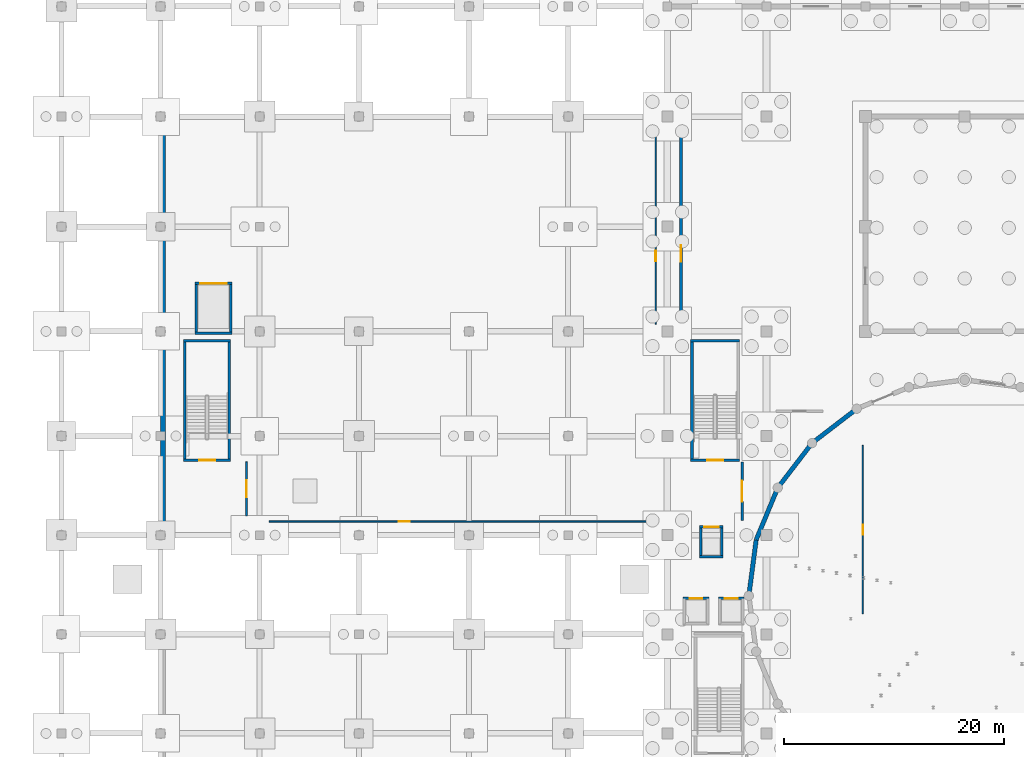
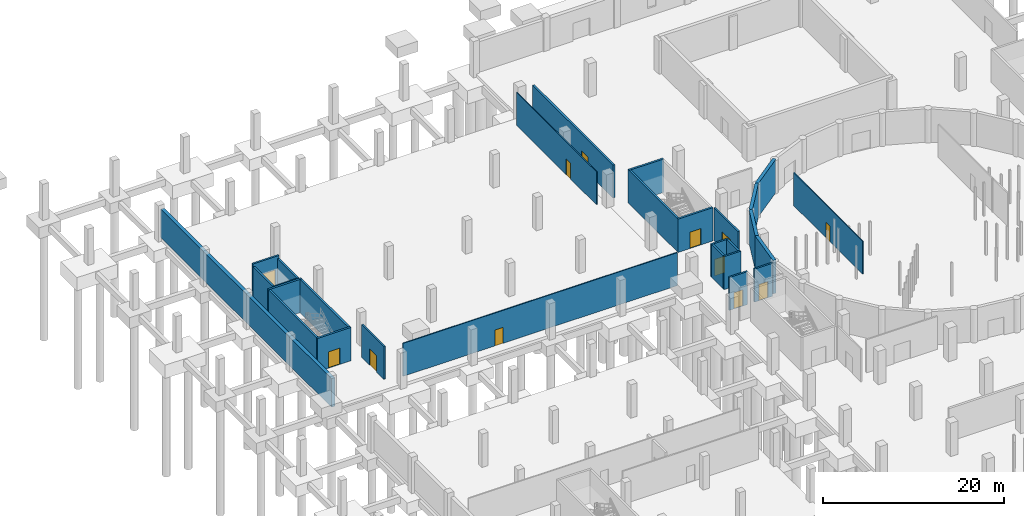
# One storey, part 29 of 40: 28 walls, 12 doors, 12 openings.
"""IFC4 building model written with IfcOpenShell, lengths in metres."""

from ifc_helpers import new_model, si_unit, direction, frame, frame_2d, origin, place, context, subcontext, project, spatial, rectangle, extrude, material, layer, layer_set, type_object, element, fill, save


model = new_model("IFC4")

# Units and contexts
model_context = context("Model", 3, precision=1e-05, world=origin(), true_north=direction((0.0, 1.0)))
body_context = subcontext(model_context, "Body", "Model", "MODEL_VIEW")
ifc_project = project(units=[si_unit("LENGTHUNIT", "METRE"), si_unit("AREAUNIT", "SQUARE_METRE"), si_unit("VOLUMEUNIT", "CUBIC_METRE"), si_unit("PLANEANGLEUNIT", "RADIAN"), si_unit("MASSUNIT", "GRAM", prefix="KILO")], contexts=[model_context])

# Site, building, storey
site_placement = place(None, origin())
site = spatial("IfcSite", under=ifc_project, at=site_placement, CompositionType="ELEMENT")
building_placement = place(site_placement, origin())
building = spatial("IfcBuilding", under=site, at=building_placement, Name="Marnock Terrace Opera House", CompositionType="ELEMENT")
storey_placement = place(building_placement, frame((0.0, 0.0, -4.800048828125)))
storey = spatial("IfcBuildingStorey", under=building, at=storey_placement, Name="B1", CompositionType="ELEMENT", Elevation=-4.800048828125)

# Wall, opening, door
ifc_material_1 = material(Name="Double-stud acoustic plasterboard with mineral-wool infill")
ifc_layer_1 = layer(ifc_material_1, 0.2548828125)
ifc_layer_set_1 = layer_set([ifc_layer_1], Name="Double-stud acoustic plasterboard with mineral-wool infill")
wall_type_1 = type_object("IfcWallType", Name="IW-ACOUSTIC-255", PredefinedType="PARTITIONING", material=ifc_layer_set_1)
wall_1_placement = place(storey_placement, frame((56.25, 85.35009765625, 0.0), z_axis=(0.0, 0.0, 1.0), x_axis=(0.0, 1.0, 0.0)))
wall_1 = element("IfcWall", 1, at=wall_1_placement, inside=storey, type_object=wall_type_1, Name="B1 Main Electrical Substation and Switchroom acoustic partition wall", PredefinedType="PARTITIONING", context=body_context, shape_type="SweptSolid", body=[
    extrude(rectangle(XDim=17.7998046875, YDim=0.2548828125, at=frame_2d((8.89990234375, 0.0))), origin(), (0.0, 0.0, 1.0), 4.449951171875),
])
opening_1_placement = place(wall_1_placement, frame((5.47998046875, 0.0, 0.0)))
opening_1 = element("IfcOpeningElement", 2, at=opening_1_placement, cuts=wall_1, Name="Opening D-B1-08", PredefinedType="OPENING", context=body_context, shape_type="SweptSolid", body=[
    extrude(rectangle(XDim=1.5, YDim=2.199951171875, at=frame_2d((0.75, 1.10009765625))), frame((0.0, 0.137451171875, 0.0), z_axis=(0.0, -1.0, 0.0), x_axis=(1.0, 0.0, 0.0)), (0.0, 0.0, 1.0), 0.27490234375),
])
ifc_material_2 = material(Name="Fire-rated acoustic timber-core door assembly", Category="wood")
door_type_1 = type_object("IfcDoorType", Name="DT-PLANT-1500", OperationType="NOTDEFINED", PredefinedType="DOOR", material=ifc_material_2)
door_1_placement = place(opening_1_placement, origin())
door_1 = element("IfcDoor", 3, at=door_1_placement, inside=storey, type_object=door_type_1, Name="B1 Main Electrical Substation and Switchroom entrance door", OperationType="SINGLE_SWING_LEFT", OverallHeight=2.199951171875, OverallWidth=1.5, PredefinedType="DOOR", context=body_context, shape_type="SweptSolid", body=[
    extrude(rectangle(XDim=1.5, YDim=2.199951171875, at=frame_2d((0.75, 1.10009765625))), frame((0.0, 0.02490234375, 0.0), z_axis=(0.0, -1.0, 0.0), x_axis=(1.0, 0.0, 0.0)), (0.0, 0.0, 1.0), 0.050048828125),
])
fill(opening_1, door_1)

ifc_material_3 = material(Name="Rendered acoustic concrete blockwork", Category="masonry")
ifc_layer_2 = layer(ifc_material_3, 0.175048828125)
ifc_layer_set_2 = layer_set([ifc_layer_2], Name="Rendered acoustic concrete blockwork")
wall_type_2 = type_object("IfcWallType", Name="IW-FIRE-175", PredefinedType="PARTITIONING", material=ifc_layer_set_2)
wall_2_placement = place(storey_placement, frame((16.800048828125, 67.75, 0.0), z_axis=(0.0, 0.0, 1.0), x_axis=(0.0, 1.0, 0.0)))
wall_2 = element("IfcWall", 4, at=wall_2_placement, inside=storey, type_object=wall_type_2, Name="B1 C7 fire-rated lift and stair lobby wall", PredefinedType="PARTITIONING", context=body_context, shape_type="SweptSolid", body=[
    extrude(rectangle(XDim=4.89990234375, YDim=0.175048828125, at=frame_2d((2.449951171875, 0.0))), origin(), (0.0, 0.0, 1.0), 4.449951171875),
])
opening_2_placement = place(wall_2_placement, frame((1.675048828125, 0.0, 0.0)))
opening_2 = element("IfcOpeningElement", 5, at=opening_2_placement, cuts=wall_2, Name="Opening FD-C7-B1", PredefinedType="OPENING", context=body_context, shape_type="SweptSolid", body=[
    extrude(rectangle(XDim=1.550048828125, YDim=2.219970703125, at=frame_2d((0.77490234375, 1.10986328125))), frame((0.0, 0.097412109375, 0.0), z_axis=(0.0, -1.0, 0.0), x_axis=(1.0, 0.0, 0.0)), (0.0, 0.0, 1.0), 0.195068359375),
])
door_type_2 = type_object("IfcDoorType", Name="DT-LOBBY-1550", OperationType="NOTDEFINED", PredefinedType="DOOR", material=ifc_material_2)
door_2_placement = place(opening_2_placement, origin())
door_2 = element("IfcDoor", 6, at=door_2_placement, inside=storey, type_object=door_type_2, Name="B1 C7 lobby self-closing smoke door", OperationType="SINGLE_SWING_RIGHT", OverallHeight=2.219970703125, OverallWidth=1.550048828125, PredefinedType="DOOR", context=body_context, shape_type="SweptSolid", body=[
    extrude(rectangle(XDim=1.550048828125, YDim=2.219970703125, at=frame_2d((0.77490234375, 1.10986328125))), frame((0.0, 0.02490234375, 0.0), z_axis=(0.0, -1.0, 0.0), x_axis=(1.0, 0.0, 0.0)), (0.0, 0.0, 1.0), 0.050048828125),
])
fill(opening_2, door_2)

ifc_layer_3 = layer(ifc_material_3, 0.195068359375)
ifc_layer_set_3 = layer_set([ifc_layer_3], Name="Rendered acoustic concrete blockwork")
wall_type_3 = type_object("IfcWallType", Name="IW-FIRE-195", PredefinedType="PARTITIONING", material=ifc_layer_set_3)
wall_3_placement = place(storey_placement, frame((61.800048828125, 67.35009765625, 0.0), z_axis=(0.0, 0.0, 1.0), x_axis=(0.0, 1.0, 0.0)))
wall_3 = element("IfcWall", 7, at=wall_3_placement, inside=storey, type_object=wall_type_3, Name="B1 C3 fire-rated lift and stair lobby wall", PredefinedType="PARTITIONING", context=body_context, shape_type="SweptSolid", body=[
    extrude(rectangle(XDim=5.2998046875, YDim=0.195068359375, at=frame_2d((2.64990234375, 0.0))), origin(), (0.0, 0.0, 1.0), 4.449951171875),
])
opening_3_placement = place(wall_3_placement, frame((1.699951171875, 0.0, 0.0)))
opening_3 = element("IfcOpeningElement", 8, at=opening_3_placement, cuts=wall_3, Name="Opening FD-C3-B1", PredefinedType="OPENING", context=body_context, shape_type="SweptSolid", body=[
    extrude(rectangle(XDim=1.89990234375, YDim=2.300048828125, at=frame_2d((0.949951171875, 1.14990234375))), frame((0.0, 0.107421875, 0.0), z_axis=(0.0, -1.0, 0.0), x_axis=(1.0, 0.0, 0.0)), (0.0, 0.0, 1.0), 0.215087890625),
])
door_type_3 = type_object("IfcDoorType", Name="DT-LOBBY-1900", OperationType="NOTDEFINED", PredefinedType="DOOR", material=ifc_material_2)
door_3_placement = place(opening_3_placement, origin())
door_3 = element("IfcDoor", 9, at=door_3_placement, inside=storey, type_object=door_type_3, Name="B1 C3 lobby self-closing smoke door", OperationType="SINGLE_SWING_RIGHT", OverallHeight=2.300048828125, OverallWidth=1.89990234375, PredefinedType="DOOR", context=body_context, shape_type="SweptSolid", body=[
    extrude(rectangle(XDim=1.89990234375, YDim=2.300048828125, at=frame_2d((0.949951171875, 1.14990234375))), frame((0.0, 0.02490234375, 0.0), z_axis=(0.0, -1.0, 0.0), x_axis=(1.0, 0.0, 0.0)), (0.0, 0.0, 1.0), 0.050048828125),
])
fill(opening_3, door_3)

ifc_layer_4 = layer(ifc_material_1, 0.10791015625)
ifc_layer_set_4 = layer_set([ifc_layer_4], Name="Double-stud acoustic plasterboard with mineral-wool infill")
wall_type_4 = type_object("IfcWallType", Name="IW-PART-108", PredefinedType="PARTITIONING", material=ifc_layer_set_4)
wall_4_placement = place(storey_placement, frame((72.75, 58.85009765625, 0.0), z_axis=(0.0, 0.0, 1.0), x_axis=(0.0, 1.0, 0.0)))
wall_4 = element("IfcWall", 10, at=wall_4_placement, inside=storey, type_object=wall_type_4, Name="B1 Orchestra Changing Room West acoustic partition wall", PredefinedType="PARTITIONING", context=body_context, shape_type="SweptSolid", body=[
    extrude(rectangle(XDim=15.2998046875, YDim=0.10791015625, at=frame_2d((7.64990234375, 0.0))), origin(), (0.0, 0.0, 1.0), 4.449951171875),
])
opening_4_placement = place(wall_4_placement, frame((7.18994140625, 0.0, 0.0)))
opening_4 = element("IfcOpeningElement", 11, at=opening_4_placement, cuts=wall_4, Name="Opening D-B1-05", PredefinedType="OPENING", context=body_context, shape_type="SweptSolid", body=[
    extrude(rectangle(XDim=0.919921875, YDim=2.1201171875, at=frame_2d((0.4599609375, 1.06005859375))), frame((0.0, 0.06396484375, 0.0), z_axis=(0.0, -1.0, 0.0), x_axis=(1.0, 0.0, 0.0)), (0.0, 0.0, 1.0), 0.1279296875),
])
ifc_material_4 = material(Name="Solid-core Tasmanian oak acoustic door leaf")
door_type_4 = type_object("IfcDoorType", Name="DT-ROOM-920", OperationType="NOTDEFINED", PredefinedType="DOOR", material=ifc_material_4)
door_4_placement = place(opening_4_placement, origin())
door_4 = element("IfcDoor", 12, at=door_4_placement, inside=storey, type_object=door_type_4, Name="B1 Orchestra Changing Room West entrance door", OperationType="SINGLE_SWING_RIGHT", OverallHeight=2.1201171875, OverallWidth=0.919921875, PredefinedType="DOOR", context=body_context, shape_type="SweptSolid", body=[
    extrude(rectangle(XDim=0.919921875, YDim=2.1201171875, at=frame_2d((0.4599609375, 1.06005859375))), frame((0.0, 0.02490234375, 0.0), z_axis=(0.0, -1.0, 0.0), x_axis=(1.0, 0.0, 0.0)), (0.0, 0.0, 1.0), 0.050048828125),
])
fill(opening_4, door_4)

ifc_layer_5 = layer(ifc_material_1, 0.117919921875)
ifc_layer_set_5 = layer_set([ifc_layer_5], Name="Double-stud acoustic plasterboard with mineral-wool infill")
wall_type_5 = type_object("IfcWallType", Name="IW-PART-118", PredefinedType="PARTITIONING", material=ifc_layer_set_5)
wall_5_placement = place(storey_placement, frame((53.949951171875, 85.14990234375, 0.0), z_axis=(0.0, 0.0, 1.0), x_axis=(0.0, 1.0, 0.0)))
wall_5 = element("IfcWall", 13, at=wall_5_placement, inside=storey, type_object=wall_type_5, Name="B1 Timber and Metalwork Stock Store acoustic partition wall", PredefinedType="PARTITIONING", context=body_context, shape_type="SweptSolid", body=[
    extrude(rectangle(XDim=17.7001953125, YDim=0.117919921875, at=frame_2d((8.85009765625, 0.0))), origin(), (0.0, 0.0, 1.0), 4.449951171875),
])
opening_5_placement = place(wall_5_placement, frame((5.715087890625, 0.0, 0.0)))
opening_5 = element("IfcOpeningElement", 14, at=opening_5_placement, cuts=wall_5, Name="Opening D-B1-14", PredefinedType="OPENING", context=body_context, shape_type="SweptSolid", body=[
    extrude(rectangle(XDim=0.9599609375, YDim=2.14990234375, at=frame_2d((0.47998046875, 1.074951171875))), frame((0.0, 0.06884765625, 0.0), z_axis=(0.0, -1.0, 0.0), x_axis=(1.0, 0.0, 0.0)), (0.0, 0.0, 1.0), 0.137939453125),
])
door_type_5 = type_object("IfcDoorType", Name="DT-ROOM-960", OperationType="NOTDEFINED", PredefinedType="DOOR", material=ifc_material_4)
door_5_placement = place(opening_5_placement, origin())
door_5 = element("IfcDoor", 15, at=door_5_placement, inside=storey, type_object=door_type_5, Name="B1 Timber and Metalwork Stock Store entrance door", OperationType="SINGLE_SWING_RIGHT", OverallHeight=2.14990234375, OverallWidth=0.9599609375, PredefinedType="DOOR", context=body_context, shape_type="SweptSolid", body=[
    extrude(rectangle(XDim=0.9599609375, YDim=2.14990234375, at=frame_2d((0.47998046875, 1.074951171875))), frame((0.0, 0.02490234375, 0.0), z_axis=(0.0, -1.0, 0.0), x_axis=(1.0, 0.0, 0.0)), (0.0, 0.0, 1.0), 0.050048828125),
])
fill(opening_5, door_5)

ifc_layer_6 = layer(ifc_material_1, 0.1279296875)
ifc_layer_set_6 = layer_set([ifc_layer_6], Name="Double-stud acoustic plasterboard with mineral-wool infill")
wall_type_6 = type_object("IfcWallType", Name="IW-PART-128", PredefinedType="PARTITIONING", material=ifc_layer_set_6)
wall_6_placement = place(storey_placement, frame((18.85009765625, 67.25, 0.0), z_axis=(0.0, 0.0, 1.0), x_axis=(1.0, 0.0, 0.0)))
wall_6 = element("IfcWall", 16, at=wall_6_placement, inside=storey, type_object=wall_type_6, Name="B1 Heavy Scenery Container Store acoustic partition wall", PredefinedType="PARTITIONING", context=body_context, shape_type="SweptSolid", body=[
    extrude(rectangle(XDim=35.0, YDim=0.1279296875, at=frame_2d((17.5, 0.0))), origin(), (0.0, 0.0, 1.0), 4.449951171875),
])
opening_6_placement = place(wall_6_placement, frame((11.75, 0.0, 0.0)))
opening_6 = element("IfcOpeningElement", 17, at=opening_6_placement, cuts=wall_6, Name="Opening D-B1-13", PredefinedType="OPENING", context=body_context, shape_type="SweptSolid", body=[
    extrude(rectangle(XDim=1.0, YDim=2.14990234375, at=frame_2d((0.5, 1.074951171875))), frame((0.0, 0.073974609375, 0.0), z_axis=(0.0, -1.0, 0.0), x_axis=(1.0, 0.0, 0.0)), (0.0, 0.0, 1.0), 0.14794921875),
])
door_type_6 = type_object("IfcDoorType", Name="DT-ROOM-1000", OperationType="NOTDEFINED", PredefinedType="DOOR", material=ifc_material_4)
door_6_placement = place(opening_6_placement, origin())
door_6 = element("IfcDoor", 18, at=door_6_placement, inside=storey, type_object=door_type_6, Name="B1 Heavy Scenery Container Store entrance door", OperationType="SINGLE_SWING_LEFT", OverallHeight=2.14990234375, OverallWidth=1.0, PredefinedType="DOOR", context=body_context, shape_type="SweptSolid", body=[
    extrude(rectangle(XDim=1.0, YDim=2.14990234375, at=frame_2d((0.5, 1.074951171875))), frame((0.0, 0.02490234375, 0.0), z_axis=(0.0, -1.0, 0.0), x_axis=(1.0, 0.0, 0.0)), (0.0, 0.0, 1.0), 0.050048828125),
])
fill(opening_6, door_6)

ifc_layer_7 = layer(ifc_material_3, 0.22509765625)
ifc_layer_set_7 = layer_set([ifc_layer_7], Name="Rendered acoustic concrete blockwork")
wall_type_7 = type_object("IfcWallType", Name="IW-SHAFT-225", PredefinedType="SOLIDWALL", material=ifc_layer_set_7)
wall_7_placement = place(storey_placement, frame((56.427490234375, 60.260009765625, 0.0), z_axis=(0.0, 0.0, 1.0), x_axis=(1.0, 0.0, 0.0)))
wall_7 = element("IfcWall", 19, at=wall_7_placement, inside=storey, type_object=wall_type_7, Name="B1 Lift PL-01 front shaft wall", PredefinedType="SOLIDWALL", context=body_context, shape_type="SweptSolid", body=[
    extrude(rectangle(XDim=2.344970703125, YDim=0.22509765625, at=frame_2d((1.17236328125, 0.0))), origin(), (0.0, 0.0, 1.0), 4.449951171875),
])
opening_7_placement = place(wall_7_placement, frame((0.597412109375, 0.0, 0.0)))
opening_7 = element("IfcOpeningElement", 20, at=opening_7_placement, cuts=wall_7, Name="Opening LD-PL-01-B1", PredefinedType="OPENING", context=body_context, shape_type="SweptSolid", body=[
    extrude(rectangle(XDim=1.14990234375, YDim=2.199951171875, at=frame_2d((0.574951171875, 1.10009765625))), frame((0.0, 0.12255859375, 0.0), z_axis=(0.0, -1.0, 0.0), x_axis=(1.0, 0.0, 0.0)), (0.0, 0.0, 1.0), 0.2451171875),
])
ifc_material_5 = material(Name="Brushed stainless steel landing door assembly", Category="steel")
door_type_7 = type_object("IfcDoorType", Name="DT-LIFT-1150", OperationType="NOTDEFINED", PredefinedType="DOOR", material=ifc_material_5)
door_7_placement = place(opening_7_placement, origin())
door_7 = element("IfcDoor", 21, at=door_7_placement, inside=storey, type_object=door_type_7, Name="B1 Lift PL-01 sliding landing door", OperationType="DOUBLE_DOOR_SLIDING", OverallHeight=2.199951171875, OverallWidth=1.14990234375, PredefinedType="DOOR", context=body_context, shape_type="SweptSolid", body=[
    extrude(rectangle(XDim=1.14990234375, YDim=2.199951171875, at=frame_2d((0.574951171875, 1.10009765625))), frame((0.0, 0.02490234375, 0.0), z_axis=(0.0, -1.0, 0.0), x_axis=(1.0, 0.0, 0.0)), (0.0, 0.0, 1.0), 0.050048828125),
])
fill(opening_7, door_7)

wall_8_placement = place(storey_placement, frame((59.62744140625, 60.260009765625, 0.0), z_axis=(0.0, 0.0, 1.0), x_axis=(1.0, 0.0, 0.0)))
wall_8 = element("IfcWall", 22, at=wall_8_placement, inside=storey, type_object=wall_type_7, Name="B1 Lift PL-02 front shaft wall", PredefinedType="SOLIDWALL", context=body_context, shape_type="SweptSolid", body=[
    extrude(rectangle(XDim=2.344970703125, YDim=0.22509765625, at=frame_2d((1.17236328125, 0.0))), origin(), (0.0, 0.0, 1.0), 4.449951171875),
])
opening_8_placement = place(wall_8_placement, frame((0.597412109375, 0.0, 0.0)))
opening_8 = element("IfcOpeningElement", 23, at=opening_8_placement, cuts=wall_8, Name="Opening LD-PL-02-B1", PredefinedType="OPENING", context=body_context, shape_type="SweptSolid", body=[
    extrude(rectangle(XDim=1.14990234375, YDim=2.199951171875, at=frame_2d((0.574951171875, 1.10009765625))), frame((0.0, 0.12255859375, 0.0), z_axis=(0.0, -1.0, 0.0), x_axis=(1.0, 0.0, 0.0)), (0.0, 0.0, 1.0), 0.2451171875),
])
door_8_placement = place(opening_8_placement, origin())
door_8 = element("IfcDoor", 24, at=door_8_placement, inside=storey, type_object=door_type_7, Name="B1 Lift PL-02 sliding landing door", OperationType="DOUBLE_DOOR_SLIDING", OverallHeight=2.199951171875, OverallWidth=1.14990234375, PredefinedType="DOOR", context=body_context, shape_type="SweptSolid", body=[
    extrude(rectangle(XDim=1.14990234375, YDim=2.199951171875, at=frame_2d((0.574951171875, 1.10009765625))), frame((0.0, 0.02490234375, 0.0), z_axis=(0.0, -1.0, 0.0), x_axis=(1.0, 0.0, 0.0)), (0.0, 0.0, 1.0), 0.050048828125),
])
fill(opening_8, door_8)

wall_9_placement = place(storey_placement, frame((57.927490234375, 66.760009765625, 0.0), z_axis=(0.0, 0.0, 1.0), x_axis=(1.0, 0.0, 0.0)))
wall_9 = element("IfcWall", 25, at=wall_9_placement, inside=storey, type_object=wall_type_7, Name="B1 Lift EL-01 front shaft wall", PredefinedType="SOLIDWALL", context=body_context, shape_type="SweptSolid", body=[
    extrude(rectangle(XDim=2.14501953125, YDim=0.22509765625, at=frame_2d((1.072509765625, 0.0))), origin(), (0.0, 0.0, 1.0), 4.449951171875),
])
opening_9_placement = place(wall_9_placement, frame((0.422607421875, 0.0, 0.0)))
opening_9 = element("IfcOpeningElement", 26, at=opening_9_placement, cuts=wall_9, Name="Opening LD-EL-01-B1", PredefinedType="OPENING", context=body_context, shape_type="SweptSolid", body=[
    extrude(rectangle(XDim=1.300048828125, YDim=2.25, at=frame_2d((0.64990234375, 1.125))), frame((0.0, 0.12255859375, 0.0), z_axis=(0.0, -1.0, 0.0), x_axis=(1.0, 0.0, 0.0)), (0.0, 0.0, 1.0), 0.2451171875),
])
door_type_8 = type_object("IfcDoorType", Name="DT-LIFT-1300", OperationType="NOTDEFINED", PredefinedType="DOOR", material=ifc_material_5)
door_9_placement = place(opening_9_placement, origin())
door_9 = element("IfcDoor", 27, at=door_9_placement, inside=storey, type_object=door_type_8, Name="B1 Lift EL-01 sliding landing door", OperationType="DOUBLE_DOOR_SLIDING", OverallHeight=2.25, OverallWidth=1.300048828125, PredefinedType="DOOR", context=body_context, shape_type="SweptSolid", body=[
    extrude(rectangle(XDim=1.300048828125, YDim=2.25, at=frame_2d((0.64990234375, 1.125))), frame((0.0, 0.02490234375, 0.0), z_axis=(0.0, -1.0, 0.0), x_axis=(1.0, 0.0, 0.0)), (0.0, 0.0, 1.0), 0.050048828125),
])
fill(opening_9, door_9)

# Walls
wall_10_placement = place(storey_placement, frame((57.927490234375, 64.0400390625, 0.0), z_axis=(0.0, 0.0, 1.0), x_axis=(1.0, 0.0, 0.0)))
element("IfcWall", 28, at=wall_10_placement, inside=storey, type_object=wall_type_7, Name="B1 Lift EL-01 rear shaft wall", PredefinedType="SOLIDWALL", context=body_context, shape_type="SweptSolid", body=[
    extrude(rectangle(XDim=2.14501953125, YDim=0.22509765625, at=frame_2d((1.072509765625, 0.0))), origin(), (0.0, 0.0, 1.0), 4.449951171875),
])
for number, where, z_axis, x_axis, name in (
    (29, (58.0400390625, 64.0400390625, 0.0), (0.0, 0.0, 1.0), (0.0, 1.0, 0.0), "B1 Lift EL-01 west shaft wall"),
    (30, (59.9599609375, 64.0400390625, 0.0), (0.0, 0.0, 1.0), (0.0, 1.0, 0.0), "B1 Lift EL-01 east shaft wall"),
):
    element("IfcWall", number, at=place(storey_placement, frame(where, z_axis=z_axis, x_axis=x_axis)), inside=storey, type_object=wall_type_7, Name=name, PredefinedType="SOLIDWALL", context=body_context, shape_type="SweptSolid", body=[
        extrude(rectangle(XDim=2.719970703125, YDim=0.22509765625, at=frame_2d((1.35986328125, 0.0))), origin(), (0.0, 0.0, 1.0), 4.449951171875),
    ])

# Wall, opening, door
wall_11_placement = place(storey_placement, frame((12.12744140625, 88.860107421875, 0.0), z_axis=(0.0, 0.0, 1.0), x_axis=(1.0, 0.0, 0.0)))
wall_11 = element("IfcWall", 31, at=wall_11_placement, inside=storey, type_object=wall_type_7, Name="B1 Lift GL-01 front shaft wall", PredefinedType="SOLIDWALL", context=body_context, shape_type="SweptSolid", body=[
    extrude(rectangle(XDim=3.344970703125, YDim=0.22509765625, at=frame_2d((1.67236328125, 0.0))), origin(), (0.0, 0.0, 1.0), 4.449951171875),
])
opening_10_placement = place(wall_11_placement, frame((0.472412109375, 0.0, 0.0)))
opening_10 = element("IfcOpeningElement", 32, at=opening_10_placement, cuts=wall_11, Name="Opening LD-GL-01-B1", PredefinedType="OPENING", context=body_context, shape_type="SweptSolid", body=[
    extrude(rectangle(XDim=2.39990234375, YDim=2.64990234375, at=frame_2d((1.199951171875, 1.324951171875))), frame((0.0, 0.12255859375, 0.0), z_axis=(0.0, -1.0, 0.0), x_axis=(1.0, 0.0, 0.0)), (0.0, 0.0, 1.0), 0.2451171875),
])
door_type_9 = type_object("IfcDoorType", Name="DT-LIFT-2400", OperationType="NOTDEFINED", PredefinedType="DOOR", material=ifc_material_5)
door_10_placement = place(opening_10_placement, origin())
door_10 = element("IfcDoor", 33, at=door_10_placement, inside=storey, type_object=door_type_9, Name="B1 Lift GL-01 sliding landing door", OperationType="DOUBLE_DOOR_SLIDING", OverallHeight=2.64990234375, OverallWidth=2.39990234375, PredefinedType="DOOR", context=body_context, shape_type="SweptSolid", body=[
    extrude(rectangle(XDim=2.39990234375, YDim=2.64990234375, at=frame_2d((1.199951171875, 1.324951171875))), frame((0.0, 0.02490234375, 0.0), z_axis=(0.0, -1.0, 0.0), x_axis=(1.0, 0.0, 0.0)), (0.0, 0.0, 1.0), 0.050048828125),
])
fill(opening_10, door_10)

# Walls
wall_12_placement = place(storey_placement, frame((12.12744140625, 84.340087890625, 0.0), z_axis=(0.0, 0.0, 1.0), x_axis=(1.0, 0.0, 0.0)))
element("IfcWall", 34, at=wall_12_placement, inside=storey, type_object=wall_type_7, Name="B1 Lift GL-01 rear shaft wall", PredefinedType="SOLIDWALL", context=body_context, shape_type="SweptSolid", body=[
    extrude(rectangle(XDim=3.344970703125, YDim=0.22509765625, at=frame_2d((1.67236328125, 0.0))), origin(), (0.0, 0.0, 1.0), 4.0673828125),
])
for number, where, z_axis, x_axis, name in (
    (35, (12.239990234375, 84.340087890625, 0.0), (0.0, 0.0, 1.0), (0.0, 1.0, 0.0), "B1 Lift GL-01 west shaft wall"),
    (36, (15.360107421875, 84.340087890625, 0.0), (0.0, 0.0, 1.0), (0.0, 1.0, 0.0), "B1 Lift GL-01 east shaft wall"),
):
    element("IfcWall", number, at=place(storey_placement, frame(where, z_axis=z_axis, x_axis=x_axis)), inside=storey, type_object=wall_type_7, Name=name, PredefinedType="SOLIDWALL", context=body_context, shape_type="SweptSolid", body=[
        extrude(rectangle(XDim=4.52001953125, YDim=0.22509765625, at=frame_2d((2.260009765625, 0.0))), origin(), (0.0, 0.0, 1.0), 4.0673828125),
    ])

# Wall, opening, door
ifc_material_6 = material(Name="Concrete N40 (f'c = 40 MPa)", Category="concrete")
ifc_layer_8 = layer(ifc_material_6, 0.25)
ifc_layer_set_8 = layer_set([ifc_layer_8], Name="Concrete N40 (f'c = 40 MPa)")
wall_type_8 = type_object("IfcWallType", Name="SW-CORE-250", PredefinedType="SHEAR", material=ifc_layer_set_8)
wall_13_placement = place(storey_placement, frame((57.114990234375, 72.800048828125, 0.0), z_axis=(0.0, 0.0, 1.0), x_axis=(1.0, 0.0, 0.0)))
wall_13 = element("IfcWall", 37, at=wall_13_placement, inside=storey, type_object=wall_type_8, Name="B1 Core C3 FRL 120/120/120 shear wall S", PredefinedType="SHEAR", context=body_context, shape_type="SweptSolid", body=[
    extrude(rectangle(XDim=4.449951171875, YDim=0.25, at=frame_2d((2.22509765625, 0.0))), origin(), (0.0, 0.0, 1.0), 4.5),
])
opening_11_placement = place(wall_13_placement, frame((1.5, 0.0, 0.0)))
opening_11 = element("IfcOpeningElement", 38, at=opening_11_placement, cuts=wall_13, Name="Opening SD-C3-B1", PredefinedType="OPENING", context=body_context, shape_type="SweptSolid", body=[
    extrude(rectangle(XDim=1.449951171875, YDim=2.199951171875, at=frame_2d((0.72509765625, 1.10009765625))), frame((0.0, 0.135009765625, 0.0), z_axis=(0.0, -1.0, 0.0), x_axis=(1.0, 0.0, 0.0)), (0.0, 0.0, 1.0), 0.27001953125),
])
door_type_10 = type_object("IfcDoorType", Name="DT-STAIR-1450", OperationType="NOTDEFINED", PredefinedType="DOOR", material=ifc_material_2)
door_11_placement = place(opening_11_placement, origin())
door_11 = element("IfcDoor", 39, at=door_11_placement, inside=storey, type_object=door_type_10, Name="B1 Stair ST-03 fire-isolated exit door", OperationType="SINGLE_SWING_LEFT", OverallHeight=2.199951171875, OverallWidth=1.449951171875, PredefinedType="DOOR", context=body_context, shape_type="SweptSolid", body=[
    extrude(rectangle(XDim=1.449951171875, YDim=2.199951171875, at=frame_2d((0.72509765625, 1.10009765625))), frame((0.0, 0.02490234375, 0.0), z_axis=(0.0, -1.0, 0.0), x_axis=(1.0, 0.0, 0.0)), (0.0, 0.0, 1.0), 0.050048828125),
])
fill(opening_11, door_11)

# Walls
wall_14_placement = place(storey_placement, frame((57.114990234375, 83.639892578125, 0.0), z_axis=(0.0, 0.0, 1.0), x_axis=(1.0, 0.0, 0.0)))
element("IfcWall", 40, at=wall_14_placement, inside=storey, type_object=wall_type_8, Name="B1 Core C3 FRL 120/120/120 shear wall N", PredefinedType="SHEAR", context=body_context, shape_type="SweptSolid", body=[
    extrude(rectangle(XDim=4.449951171875, YDim=0.25, at=frame_2d((2.22509765625, 0.0))), origin(), (0.0, 0.0, 1.0), 4.5),
])
wall_15_placement = place(storey_placement, frame((57.239990234375, 72.675048828125, 0.0), z_axis=(0.0, 0.0, 1.0), x_axis=(0.0, 1.0, 0.0)))
element("IfcWall", 41, at=wall_15_placement, inside=storey, type_object=wall_type_8, Name="B1 Core C3 FRL 120/120/120 shear wall W", PredefinedType="SHEAR", context=body_context, shape_type="SweptSolid", body=[
    extrude(rectangle(XDim=11.08984375, YDim=0.25, at=frame_2d((5.544921875, 0.0))), origin(), (0.0, 0.0, 1.0), 4.5),
])

# Wall, opening, door
wall_16_placement = place(storey_placement, frame((11.074951171875, 72.800048828125, 0.0), z_axis=(0.0, 0.0, 1.0), x_axis=(1.0, 0.0, 0.0)))
wall_16 = element("IfcWall", 42, at=wall_16_placement, inside=storey, type_object=wall_type_8, Name="B1 Core C7 FRL 120/120/120 shear wall S", PredefinedType="SHEAR", context=body_context, shape_type="SweptSolid", body=[
    extrude(rectangle(XDim=4.2900390625, YDim=0.25, at=frame_2d((2.14501953125, 0.0))), origin(), (0.0, 0.0, 1.0), 4.5),
])
opening_12_placement = place(wall_16_placement, frame((1.419921875, 0.0, 0.0)))
opening_12 = element("IfcOpeningElement", 43, at=opening_12_placement, cuts=wall_16, Name="Opening SD-C7-B1", PredefinedType="OPENING", context=body_context, shape_type="SweptSolid", body=[
    extrude(rectangle(XDim=1.449951171875, YDim=2.199951171875, at=frame_2d((0.72509765625, 1.10009765625))), frame((0.0, 0.135009765625, 0.0), z_axis=(0.0, -1.0, 0.0), x_axis=(1.0, 0.0, 0.0)), (0.0, 0.0, 1.0), 0.27001953125),
])
door_12_placement = place(opening_12_placement, origin())
door_12 = element("IfcDoor", 44, at=door_12_placement, inside=storey, type_object=door_type_10, Name="B1 Stair ST-07 fire-isolated exit door", OperationType="SINGLE_SWING_LEFT", OverallHeight=2.199951171875, OverallWidth=1.449951171875, PredefinedType="DOOR", context=body_context, shape_type="SweptSolid", body=[
    extrude(rectangle(XDim=1.449951171875, YDim=2.199951171875, at=frame_2d((0.72509765625, 1.10009765625))), frame((0.0, 0.02490234375, 0.0), z_axis=(0.0, -1.0, 0.0), x_axis=(1.0, 0.0, 0.0)), (0.0, 0.0, 1.0), 0.050048828125),
])
fill(opening_12, door_12)

# Walls
wall_17_placement = place(storey_placement, frame((11.074951171875, 83.639892578125, 0.0), z_axis=(0.0, 0.0, 1.0), x_axis=(1.0, 0.0, 0.0)))
element("IfcWall", 45, at=wall_17_placement, inside=storey, type_object=wall_type_8, Name="B1 Core C7 FRL 120/120/120 shear wall N", PredefinedType="SHEAR", context=body_context, shape_type="SweptSolid", body=[
    extrude(rectangle(XDim=4.2900390625, YDim=0.25, at=frame_2d((2.14501953125, 0.0))), origin(), (0.0, 0.0, 1.0), 4.5),
])
for number, where, z_axis, x_axis, name in (
    (46, (11.199951171875, 72.675048828125, 0.0), (0.0, 0.0, 1.0), (0.0, 1.0, 0.0), "B1 Core C7 FRL 120/120/120 shear wall W"),
    (47, (15.239990234375, 72.675048828125, 0.0), (0.0, 0.0, 1.0), (0.0, 1.0, 0.0), "B1 Core C7 FRL 120/120/120 shear wall E"),
):
    element("IfcWall", number, at=place(storey_placement, frame(where, z_axis=z_axis, x_axis=x_axis)), inside=storey, type_object=wall_type_8, Name=name, PredefinedType="SHEAR", context=body_context, shape_type="SweptSolid", body=[
        extrude(rectangle(XDim=11.08984375, YDim=0.25, at=frame_2d((5.544921875, 0.0))), origin(), (0.0, 0.0, 1.0), 4.5),
    ])
ifc_material_7 = material(Name="Concrete N50 (f'c = 50 MPa)", Category="concrete")
ifc_layer_9 = layer(ifc_material_7, 0.39990234375)
ifc_layer_set_9 = layer_set([ifc_layer_9], Name="Concrete N50 (f'c = 50 MPa)")
wall_type_9 = type_object("IfcWallType", Name="SW-DRUM-400", PredefinedType="SHEAR", material=ifc_layer_set_9)
for number, where, z_axis, x_axis, name in (
    (48, (72.199951171875, 77.47412109375, 0.0), (0.0, 0.0, 1.0), (-0.793279847731, -0.608857194409, 0.0), "B1 cylindrical auditorium drum shear wall 9"),
    (49, (68.14111328125, 74.35888671875, 0.0), (0.0, 0.0, 1.0), (-0.608857194409, -0.793279847731, 0.0), "B1 cylindrical auditorium drum shear wall 10"),
    (50, (65.02587890625, 70.300048828125, 0.0), (0.0, 0.0, 1.0), (-0.382642581018, -0.923896452635, 0.0), "B1 cylindrical auditorium drum shear wall 11"),
):
    element("IfcWall", number, at=place(storey_placement, frame(where, z_axis=z_axis, x_axis=x_axis)), inside=storey, type_object=wall_type_9, Name=name, PredefinedType="SHEAR", context=body_context, shape_type="SweptSolid", body=[
        extrude(rectangle(XDim=5.116455078125, YDim=0.39990234375, at=frame_2d((2.55810546875, 0.0))), origin(), (0.0, 0.0, 1.0), 4.5),
    ])
wall_18_placement = place(storey_placement, frame((63.068115234375, 65.572998046875, 0.0), z_axis=(0.0, 0.0, 1.0), x_axis=(-0.130591512704, -0.99143625958, 0.0)))
element("IfcWall", 51, at=wall_18_placement, inside=storey, type_object=wall_type_9, Name="B1 cylindrical auditorium drum shear wall 12", PredefinedType="SHEAR", context=body_context, shape_type="SweptSolid", body=[
    extrude(rectangle(XDim=5.11669921875, YDim=0.39990234375, at=frame_2d((2.558349609375, 0.0))), origin(), (0.0, 0.0, 1.0), 4.5),
])
ifc_layer_10 = layer(ifc_material_6, 0.43994140625)
ifc_layer_set_10 = layer_set([ifc_layer_10], Name="Concrete N40 (f'c = 40 MPa)")
wall_type_10 = type_object("IfcWallType", Name="SW-RET-440", PredefinedType="USERDEFINED", material=ifc_layer_set_10)
wall_19_placement = place(storey_placement, frame((9.219970703125, 66.0, 0.0), z_axis=(0.0, 0.0, 1.0), x_axis=(0.0, 1.0, 0.0)))
element("IfcWall", 52, at=wall_19_placement, inside=storey, type_object=wall_type_10, Name="Basement B1 perimeter retaining wall RW-B1-W2", ObjectType="RETAINING WALL", PredefinedType="USERDEFINED", context=body_context, shape_type="SweptSolid", body=[
    extrude(rectangle(XDim=37.780029296875, YDim=0.43994140625, at=frame_2d((18.89013671875, 0.0))), origin(), (0.0, 0.0, 1.0), 3.85009765625),
])

save(model, "model.ifc")
